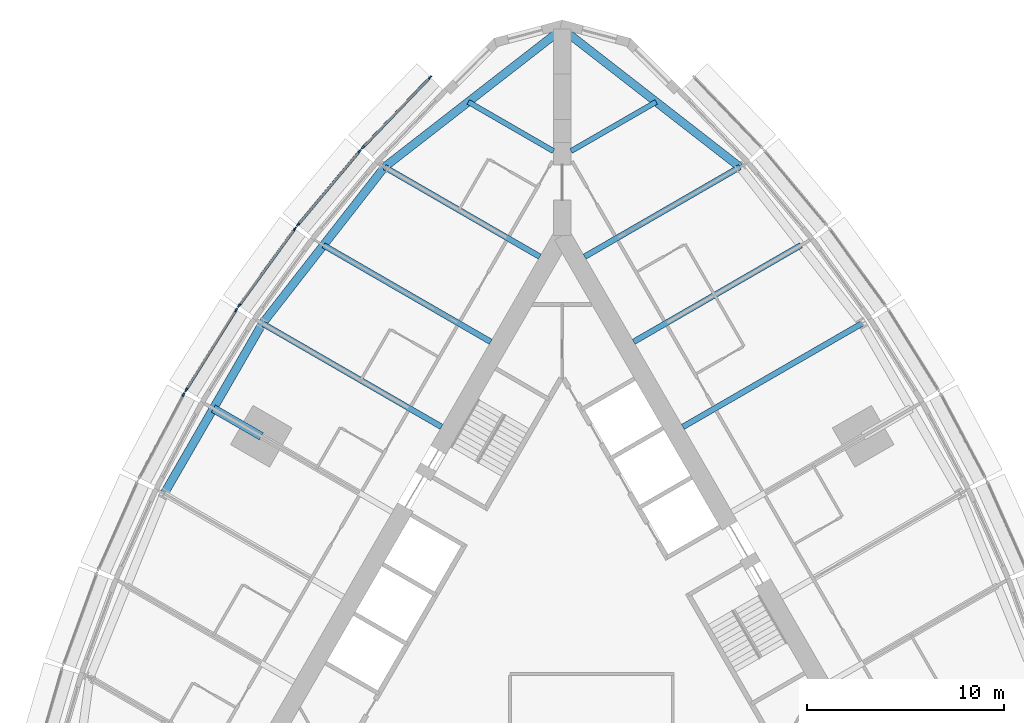
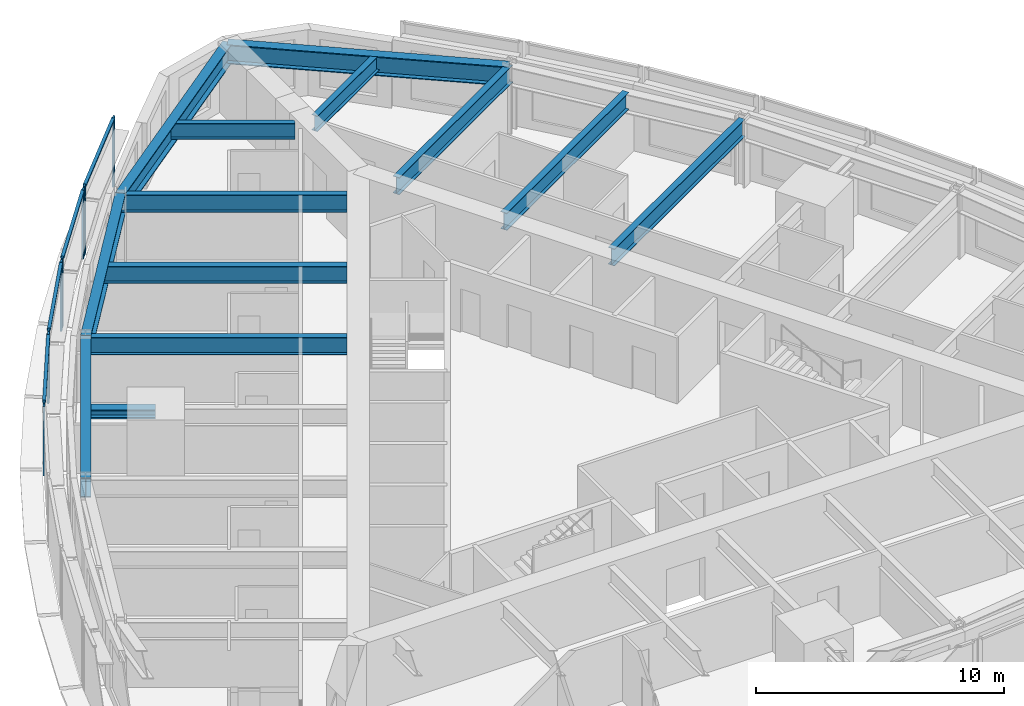
# One storey, part 4 of 14: 13 beams, 13 members, 5 elements without a shape of their own.
"""IFC4 building model written with IfcOpenShell, lengths in metres."""

import ifcopenshell
import ifcopenshell.guid

model = None  # the IFC model being written
_history = None  # IfcOwnerHistory: only IFC2X3 demands one
_inside = {}  # id of a spatial element -> (the spatial element, [elements in it])
_under = {}  # id of a project, library or spatial element -> (it, [spatial elements below it])
_declared = {}  # id of a project -> (the project, [libraries it declares])
_typed = {}  # id of a type object -> (the type object, [elements of that type])
_made_of = {}  # id of a material, layer set ... -> (it, [elements and type objects made of it])


def new_model(schema):
    """Start an empty IFC model of exactly this schema.

    Asked for "IFC4X3", IfcOpenShell would pick the latest addendum, in which some entities
    have other attributes; the version numbers below select the first issue.
    IFC2X3 requires an IfcOwnerHistory on every rooted entity: one is made here for all.
    """
    global model, _history
    if schema == "IFC4X3":
        model = ifcopenshell.file(schema_version=(4, 3, 0, 0))
    else:
        model = ifcopenshell.file(schema=schema)
    _inside.clear()
    _under.clear()
    _declared.clear()
    _typed.clear()
    _made_of.clear()
    _history = None
    if model.schema == "IFC2X3":
        org = make("IfcOrganization", Name="unknown")
        user = make(
            "IfcPersonAndOrganization",
            ThePerson=make("IfcPerson", FamilyName="unknown"),
            TheOrganization=org,
        )
        app = make(
            "IfcApplication",
            ApplicationDeveloper=org,
            Version="unknown",
            ApplicationFullName="unknown",
            ApplicationIdentifier="unknown",
        )
        _history = make(
            "IfcOwnerHistory",
            OwningUser=user,
            OwningApplication=app,
            ChangeAction="ADDED",
            CreationDate=0,
        )
    return model


def make(cls, **values):
    """One entity of the class cls with the attributes given. An attribute that is None is left unset."""
    return model.create_entity(
        cls, **{name: value for name, value in values.items() if value is not None}
    )


def rooted(cls, **values):
    """An entity with a GlobalId (a new one), such as an element, a storey or a relation."""
    return make(cls, GlobalId=ifcopenshell.guid.new(), OwnerHistory=_history, **values)


def si_unit(unit_type, name, prefix=None):
    """IfcSIUnit, for example si_unit("LENGTHUNIT", "METRE", prefix="MILLI")."""
    return make("IfcSIUnit", UnitType=unit_type, Prefix=prefix, Name=name)


def assignment(units):
    """IfcUnitAssignment: the units of a project."""
    return None if units is None else make("IfcUnitAssignment", Units=units)


def point(xyz):
    """IfcCartesianPoint."""
    return None if xyz is None else make("IfcCartesianPoint", Coordinates=xyz)


def direction(xyz):
    """IfcDirection."""
    return None if xyz is None else make("IfcDirection", DirectionRatios=xyz)


def frame(location, z_axis=None, x_axis=None):
    """IfcAxis2Placement3D, a coordinate frame: its origin and axes. An axis left out is left unset."""
    return make(
        "IfcAxis2Placement3D",
        Location=point(location),
        Axis=direction(z_axis),
        RefDirection=direction(x_axis),
    )


def frame_2d(location, x_axis=None):
    """IfcAxis2Placement2D, a coordinate frame in the plane: its origin and x axis."""
    return make(
        "IfcAxis2Placement2D", Location=point(location), RefDirection=direction(x_axis)
    )


def origin():
    """The frame at (0, 0, 0) with its axes left unset."""
    return frame((0.0, 0.0, 0.0))


def origin_2d():
    """The frame at (0, 0) in the plane with its x axis left unset."""
    return frame_2d((0.0, 0.0))


def place(relative_to, where):
    """IfcLocalPlacement: puts the frame where relative to a parent placement (None: the world)."""
    return make(
        "IfcLocalPlacement", PlacementRelTo=relative_to, RelativePlacement=where
    )


def context(
    kind, dimensions, precision=None, world=None, true_north=None, identifier=None
):
    """IfcGeometricRepresentationContext, for example the 3D "Model" context."""
    return make(
        "IfcGeometricRepresentationContext",
        ContextIdentifier=identifier,
        ContextType=kind,
        CoordinateSpaceDimension=dimensions,
        Precision=precision,
        WorldCoordinateSystem=world,
        TrueNorth=true_north,
    )


def subcontext(parent, identifier, kind, view, scale=None):
    """IfcGeometricRepresentationSubContext, for example "Body" below "Model"."""
    return make(
        "IfcGeometricRepresentationSubContext",
        ContextIdentifier=identifier,
        ContextType=kind,
        ParentContext=parent,
        TargetScale=scale,
        TargetView=view,
    )


def project(units=None, contexts=None):
    """IfcProject with its units and contexts."""
    return rooted(
        "IfcProject",
        Name="project",
        RepresentationContexts=contexts,
        UnitsInContext=assignment(units),
    )


def spatial(cls, under=None, at=None, **own):
    """A site, building, storey or space (cls), placed at a placement, below another one or the project."""
    s = rooted(cls, ObjectPlacement=at, **own)
    if under is not None:
        _under.setdefault(under.id(), (under, []))[1].append(s)
    return s


def profile(cls, at=None, kind="AREA", **sizes):
    """A parametric profile (cls). Its sizes go by their IFC names, for example OverallWidth=200.0."""
    return make(cls, ProfileType=kind, Position=at, **sizes)


def rectangle(**sizes):
    """IfcRectangleProfileDef."""
    return profile("IfcRectangleProfileDef", **sizes)


def i_section(**sizes):
    """IfcIShapeProfileDef."""
    return profile("IfcIShapeProfileDef", **sizes)


def extrude(swept, where, along, depth):
    """IfcExtrudedAreaSolid: the profile swept, set in the frame where, extruded along a direction by depth."""
    return make(
        "IfcExtrudedAreaSolid",
        SweptArea=swept,
        Position=where,
        ExtrudedDirection=direction(along),
        Depth=depth,
    )


def shape(context_of_items, identifier, shape_type, items):
    """IfcShapeRepresentation: the items that make up one representation, for example the "Body"."""
    return make(
        "IfcShapeRepresentation",
        ContextOfItems=context_of_items,
        RepresentationIdentifier=identifier,
        RepresentationType=shape_type,
        Items=items,
    )


def material(Name=None, Category=None):
    """IfcMaterial."""
    return make("IfcMaterial", Name=Name, Category=Category)


def material_profile(
    of_material, cross_section, Name=None, Category=None, Priority=None
):
    """IfcMaterialProfile: a cross section and its material."""
    return make(
        "IfcMaterialProfile",
        Name=Name,
        Material=of_material,
        Profile=cross_section,
        Priority=Priority,
        Category=Category,
    )


def profile_set(profiles, Name=None, composite=None):
    """IfcMaterialProfileSet."""
    return make(
        "IfcMaterialProfileSet",
        Name=Name,
        MaterialProfiles=profiles,
        CompositeProfile=composite,
    )


def made_of(thing, what):
    """Note that an element or type object is made of a material, layer set ...; save() writes the relation."""
    if what is not None:
        _made_of.setdefault(what.id(), (what, []))[1].append(thing)
    return thing


def type_object(cls, material=None, **own):
    """A type object (cls), such as IfcWallType, which elements share."""
    return made_of(rooted(cls, **own), material)


def element(
    cls,
    number,
    at=None,
    inside=None,
    cuts=None,
    type_object=None,
    material=None,
    context=None,
    identifier="Body",
    shape_type=None,
    held_by="IfcProductDefinitionShape",
    body=None,
    shapes=None,
    **own,
):
    """One element of the class cls, such as IfcWall. Its Tag is "e" and its number.

    at: its placement. inside: the storey or other place that contains it. cuts: it is an
    opening in that element (IfcRelVoidsElement). A single representation is given by context,
    identifier, shape_type and body (its items); several are given by shapes. held_by: the class
    of the entity that holds the representations. save() writes the other relations.
    """
    e = rooted(cls, Tag="e%d" % number, ObjectPlacement=at, **own)
    if body is not None:
        shapes = [shape(context, identifier, shape_type, body)]
    if shapes is not None:
        e.Representation = make(held_by, Representations=shapes)
    if inside is not None:
        _inside.setdefault(inside.id(), (inside, []))[1].append(e)
    if cuts is not None:
        rooted(
            "IfcRelVoidsElement", RelatingBuildingElement=cuts, RelatedOpeningElement=e
        )
    if type_object is not None:
        _typed.setdefault(type_object.id(), (type_object, []))[1].append(e)
    return made_of(e, material)


def aggregate(whole, parts):
    """IfcRelAggregates: a whole, such as a stair, and the parts it consists of."""
    return rooted("IfcRelAggregates", RelatingObject=whole, RelatedObjects=parts)


def save(model, path):
    """Write the relations noted so far, then the file.

    IfcRelAggregates (storeys below a building ...), IfcRelContainedInSpatialStructure (elements
    in a storey), IfcRelDefinesByType, IfcRelAssociatesMaterial and IfcRelDeclares: one each for
    every whole, place, type object, material and project.
    """
    for whole, parts in _under.values():
        aggregate(whole, parts)
    for where, things in _inside.values():
        rooted(
            "IfcRelContainedInSpatialStructure",
            RelatedElements=things,
            RelatingStructure=where,
        )
    for kind, things in _typed.values():
        rooted("IfcRelDefinesByType", RelatedObjects=things, RelatingType=kind)
    for what, things in _made_of.values():
        rooted("IfcRelAssociatesMaterial", RelatedObjects=things, RelatingMaterial=what)
    for by, libraries in _declared.values():
        rooted("IfcRelDeclares", RelatingContext=by, RelatedDefinitions=libraries)
    model.write(path)


model = new_model("IFC4")

# Units and contexts
model_context = context("Model", 3, precision=1e-05, world=origin(), true_north=direction((0.0, 1.0)))
body_context = subcontext(model_context, "Body", "Model", "MODEL_VIEW")
ifc_project = project(units=[si_unit("LENGTHUNIT", "METRE"), si_unit("AREAUNIT", "SQUARE_METRE"), si_unit("VOLUMEUNIT", "CUBIC_METRE"), si_unit("PLANEANGLEUNIT", "RADIAN"), si_unit("MASSUNIT", "GRAM", prefix="KILO")], contexts=[model_context])

# Site, building, storey
site_placement = place(None, origin())
site = spatial("IfcSite", under=ifc_project, at=site_placement, CompositionType="ELEMENT")
building_placement = place(site_placement, origin())
building = spatial("IfcBuilding", under=site, at=building_placement, Name="Trikona Tower", CompositionType="ELEMENT")
storey_placement = place(building_placement, frame((0.0, 0.0, 175.89990234375)))
storey = spatial("IfcBuildingStorey", under=building, at=storey_placement, Name="L47", CompositionType="ELEMENT", Elevation=175.89990234375)

# Curtain wall, members
ifc_material_1 = material(Name="Aluminium curtain wall system", Category="aluminium")
curtain_wall_type = type_object("IfcCurtainWallType", Name="Curtain wall DS2", PredefinedType="NOTDEFINED", material=ifc_material_1)
curtain_wall_1_placement = place(storey_placement, origin())
curtain_wall_1 = element("IfcCurtainWall", 1, at=curtain_wall_1_placement, inside=storey, type_object=curtain_wall_type, Name="Curtain wall DS2 L47", PredefinedType="NOTDEFINED")
ifc_material_2 = material(Name="Aluminium mullion, pale anodised", Category="aluminium")
ifc_material_profile_1 = material_profile(ifc_material_2, rectangle(XDim=0.080078125, YDim=0.199951171875, at=origin_2d()), Name="MUL-DS2")
ifc_profile_set_1 = profile_set([ifc_material_profile_1], Name="Aluminium mullion, pale anodised")
member_type_1 = type_object("IfcMemberType", Name="Mullion DS2 80x200", PredefinedType="MULLION", material=ifc_profile_set_1)
member_1_placement = place(storey_placement, frame((-6.718994140625, 27.1083984375, 0.0), z_axis=(0.0, 0.0, 1.0), x_axis=(0.722158330767, -0.691727797117, 0.0)))
member_1 = element("IfcMember", 2, at=member_1_placement, type_object=member_type_1, Name="CW-DS2 mullion 1", PredefinedType="MULLION", context=body_context, shape_type="SweptSolid", body=[
    extrude(rectangle(XDim=0.080078125, YDim=0.199951171875, at=origin_2d()), origin(), (0.0, 0.0, 1.0), 3.400146484375),
])
member_2_placement = place(storey_placement, frame((-10.1416015625, 23.535400390625, 0.0), z_axis=(0.0, 0.0, 1.0), x_axis=(0.722158330767, -0.691727797117, 0.0)))
member_2 = element("IfcMember", 3, at=member_2_placement, type_object=member_type_1, Name="CW-DS2 mullion 2", PredefinedType="MULLION", context=body_context, shape_type="SweptSolid", body=[
    extrude(rectangle(XDim=0.080078125, YDim=0.199951171875, at=origin_2d()), origin(), (0.0, 0.0, 1.0), 3.400146484375),
])

curtain_wall_2_placement = place(storey_placement, origin())
curtain_wall_2 = element("IfcCurtainWall", 4, at=curtain_wall_2_placement, inside=storey, type_object=curtain_wall_type, Name="Curtain wall DS2 L47", PredefinedType="NOTDEFINED")
member_3_placement = place(storey_placement, frame((-10.315185546875, 23.34130859375, 0.0), z_axis=(0.0, 0.0, 1.0), x_axis=(0.766866678271, -0.641806433248, 0.0)))
member_3 = element("IfcMember", 5, at=member_3_placement, type_object=member_type_1, Name="CW-DS2 mullion 1", PredefinedType="MULLION", context=body_context, shape_type="SweptSolid", body=[
    extrude(rectangle(XDim=0.080078125, YDim=0.199951171875, at=origin_2d()), origin(), (0.0, 0.0, 1.0), 3.400146484375),
])
member_4_placement = place(storey_placement, frame((-13.44482421875, 19.602294921875, 0.0), z_axis=(0.0, 0.0, 1.0), x_axis=(0.766866678271, -0.641806433248, 0.0)))
member_4 = element("IfcMember", 6, at=member_4_placement, type_object=member_type_1, Name="CW-DS2 mullion 2", PredefinedType="MULLION", context=body_context, shape_type="SweptSolid", body=[
    extrude(rectangle(XDim=0.080078125, YDim=0.199951171875, at=origin_2d()), origin(), (0.0, 0.0, 1.0), 3.400146484375),
])

curtain_wall_3_placement = place(storey_placement, origin())
curtain_wall_3 = element("IfcCurtainWall", 7, at=curtain_wall_3_placement, inside=storey, type_object=curtain_wall_type, Name="Curtain wall DS2 L47", PredefinedType="NOTDEFINED")
member_5_placement = place(storey_placement, frame((-13.605712890625, 19.39599609375, 0.0), z_axis=(0.0, 0.0, 1.0), x_axis=(0.80908576332, -0.587690588313, 0.0)))
member_5 = element("IfcMember", 8, at=member_5_placement, type_object=member_type_1, Name="CW-DS2 mullion 1", PredefinedType="MULLION", context=body_context, shape_type="SweptSolid", body=[
    extrude(rectangle(XDim=0.080078125, YDim=0.199951171875, at=origin_2d()), origin(), (0.0, 0.0, 1.0), 3.400146484375),
])
member_6_placement = place(storey_placement, frame((-16.442626953125, 15.489990234375, 0.0), z_axis=(0.0, 0.0, 1.0), x_axis=(0.80908576332, -0.587690588313, 0.0)))
member_6 = element("IfcMember", 9, at=member_6_placement, type_object=member_type_1, Name="CW-DS2 mullion 2", PredefinedType="MULLION", context=body_context, shape_type="SweptSolid", body=[
    extrude(rectangle(XDim=0.080078125, YDim=0.199951171875, at=origin_2d()), origin(), (0.0, 0.0, 1.0), 3.400146484375),
])

curtain_wall_4_placement = place(storey_placement, origin())
curtain_wall_4 = element("IfcCurtainWall", 10, at=curtain_wall_4_placement, inside=storey, type_object=curtain_wall_type, Name="Curtain wall DS2 L47", PredefinedType="NOTDEFINED")
member_7_placement = place(storey_placement, frame((-16.589599609375, 15.2724609375, 0.0), z_axis=(0.0, 0.0, 1.0), x_axis=(0.847998304006, -0.529998940002, 0.0)))
member_7 = element("IfcMember", 11, at=member_7_placement, type_object=member_type_1, Name="CW-DS2 mullion 1", PredefinedType="MULLION", context=body_context, shape_type="SweptSolid", body=[
    extrude(rectangle(XDim=0.080078125, YDim=0.199951171875, at=origin_2d()), origin(), (0.0, 0.0, 1.0), 3.400146484375),
])
member_8_placement = place(storey_placement, frame((-19.135009765625, 11.199462890625, 0.0), z_axis=(0.0, 0.0, 1.0), x_axis=(0.847998304006, -0.529998940002, 0.0)))
member_8 = element("IfcMember", 12, at=member_8_placement, type_object=member_type_1, Name="CW-DS2 mullion 2", PredefinedType="MULLION", context=body_context, shape_type="SweptSolid", body=[
    extrude(rectangle(XDim=0.080078125, YDim=0.199951171875, at=origin_2d()), origin(), (0.0, 0.0, 1.0), 3.400146484375),
])

# Curtain wall, member
curtain_wall_5_placement = place(storey_placement, origin())
curtain_wall_5 = element("IfcCurtainWall", 13, at=curtain_wall_5_placement, inside=storey, type_object=curtain_wall_type, Name="Curtain wall DS2 L47", PredefinedType="NOTDEFINED")
member_9_placement = place(storey_placement, frame((-19.2666015625, 10.9716796875, 0.0), z_axis=(0.0, 0.0, 1.0), x_axis=(0.882996107343, -0.469380308937, 0.0)))
member_9 = element("IfcMember", 14, at=member_9_placement, type_object=member_type_1, Name="CW-DS2 mullion 1", PredefinedType="MULLION", context=body_context, shape_type="SweptSolid", body=[
    extrude(rectangle(XDim=0.080078125, YDim=0.199951171875, at=origin_2d()), origin(), (0.0, 0.0, 1.0), 3.400146484375),
])
aggregate(curtain_wall_5, [member_9])

# Beams
ifc_material_3 = material(Name="Steel ASTM A992 Grade 50", Category="steel")
ifc_material_profile_2 = material_profile(ifc_material_3, i_section(OverallWidth=0.419189453125, OverallDepth=0.45458984375, WebThickness=0.042236328125, FlangeThickness=0.067626953125, at=origin_2d()), Name="W14X370")
ifc_profile_set_2 = profile_set([ifc_material_profile_2], Name="Steel ASTM A992 Grade 50")
beam_type_1 = type_object("IfcBeamType", Name="Steel beam W14x370 (apex bracket)", PredefinedType="BEAM", material=ifc_profile_set_2)
beam_1_placement = place(storey_placement, frame((-15.311767578125, 8.84033203125, 3.0078125), z_axis=(-0.86605005072, 0.499957307824, 0.0), x_axis=(-0.499957307824, -0.86605005072, 0.0)))
element("IfcBeam", 15, at=beam_1_placement, inside=storey, type_object=beam_type_1, Name="Cantilever bracket L48 F3", PredefinedType="BEAM", context=body_context, shape_type="SweptSolid", body=[
    extrude(i_section(OverallWidth=0.419189453125, OverallDepth=0.45458984375, WebThickness=0.042236328125, FlangeThickness=0.067626953125, at=origin_2d()), origin(), (0.0, 0.0, 1.0), 2.819580078125),
])
ifc_material_4 = material(Name="Steel ASTM A992 Grade 50", Category="steel")
ifc_material_profile_3 = material_profile(ifc_material_4, i_section(OverallWidth=0.2666015625, OverallDepth=0.76953125, WebThickness=0.015625, FlangeThickness=0.025390625, at=origin_2d()), Name="W30X132")
ifc_profile_set_3 = profile_set([ifc_material_profile_3], Name="Steel ASTM A992 Grade 50")
beam_type_2 = type_object("IfcBeamType", Name="Steel beam W30x132 (wedge)", PredefinedType="BEAM", material=ifc_profile_set_3)
for number, where, z_axis, x_axis, name in (
    (16, (0.449951171875, 23.353759765625, 2.850341796875), (0.866038434829, 0.49997742889, 0.0), (-0.49997742889, 0.866038434829, 0.0), "Floor beam L48 F2 u20"),
    (17, (-0.449951171875, 23.353759765625, 2.850341796875), (-0.866038434829, 0.49997742889, 0.0), (-0.49997742889, -0.866038434829, 0.0), "Floor beam L48 F3 u-20"),
):
    element("IfcBeam", number, at=place(storey_placement, frame(where, z_axis=z_axis, x_axis=x_axis)), inside=storey, type_object=beam_type_2, Name=name, PredefinedType="BEAM", context=body_context, shape_type="SweptSolid", body=[
        extrude(i_section(OverallWidth=0.2666015625, OverallDepth=0.76953125, WebThickness=0.015625, FlangeThickness=0.025390625, at=origin_2d()), origin(), (0.0, 0.0, 1.0), 5.000732421875),
    ])
ifc_material_5 = material(Name="Steel ASTM A992 Grade 50", Category="steel")
ifc_material_profile_4 = material_profile(ifc_material_5, i_section(OverallWidth=0.2919921875, OverallDepth=0.845703125, WebThickness=0.015380859375, FlangeThickness=0.0244140625, at=origin_2d()), Name="W33X141")
ifc_profile_set_4 = profile_set([ifc_material_profile_4], Name="Steel ASTM A992 Grade 50")
beam_type_3 = type_object("IfcBeamType", Name="Steel beam W33x141 (radial typ)", PredefinedType="BEAM", material=ifc_profile_set_4)
beam_2_placement = place(storey_placement, frame((6.1396484375, 9.318359375, 2.812255859375), z_axis=(0.866036080828, 0.499981506362, 0.0), x_axis=(-0.499981506362, 0.866036080828, 0.0)))
element("IfcBeam", 18, at=beam_2_placement, inside=storey, type_object=beam_type_3, Name="Floor beam L48 F2 u5", PredefinedType="BEAM", context=body_context, shape_type="SweptSolid", body=[
    extrude(i_section(OverallWidth=0.2919921875, OverallDepth=0.845703125, WebThickness=0.015380859375, FlangeThickness=0.0244140625, at=origin_2d()), origin(), (0.0, 0.0, 1.0), 10.52392578125),
])
beam_3_placement = place(storey_placement, frame((3.6396484375, 13.6484375, 2.812255859375), z_axis=(0.866030807744, 0.499990639951, 0.0), x_axis=(-0.499990639951, 0.866030807744, 0.0)))
element("IfcBeam", 19, at=beam_3_placement, inside=storey, type_object=beam_type_3, Name="Floor beam L48 F2 u10", PredefinedType="BEAM", context=body_context, shape_type="SweptSolid", body=[
    extrude(i_section(OverallWidth=0.2919921875, OverallDepth=0.845703125, WebThickness=0.015380859375, FlangeThickness=0.0244140625, at=origin_2d()), origin(), (0.0, 0.0, 1.0), 9.823974609375),
])
for number, where, z_axis, x_axis, name in (
    (20, (1.1396484375, 17.978515625, 2.812255859375), (0.866024725532, 0.500001174766, 0.0), (-0.500001174766, 0.866024725532, 0.0), "Floor beam L48 F2 u15"),
    (21, (-1.1396484375, 17.978515625, 2.812255859375), (-0.866024725532, 0.500001174766, 0.0), (-0.500001174766, -0.866024725532, 0.0), "Floor beam L48 F3 u-15"),
):
    element("IfcBeam", number, at=place(storey_placement, frame(where, z_axis=z_axis, x_axis=x_axis)), inside=storey, type_object=beam_type_3, Name=name, PredefinedType="BEAM", context=body_context, shape_type="SweptSolid", body=[
        extrude(i_section(OverallWidth=0.2919921875, OverallDepth=0.845703125, WebThickness=0.015380859375, FlangeThickness=0.0244140625, at=origin_2d()), origin(), (0.0, 0.0, 1.0), 9.1240234375),
    ])
beam_4_placement = place(storey_placement, frame((-3.6396484375, 13.6484375, 2.812255859375), z_axis=(-0.866030807744, 0.499990639951, 0.0), x_axis=(-0.499990639951, -0.866030807744, 0.0)))
element("IfcBeam", 22, at=beam_4_placement, inside=storey, type_object=beam_type_3, Name="Floor beam L48 F3 u-10", PredefinedType="BEAM", context=body_context, shape_type="SweptSolid", body=[
    extrude(i_section(OverallWidth=0.2919921875, OverallDepth=0.845703125, WebThickness=0.015380859375, FlangeThickness=0.0244140625, at=origin_2d()), origin(), (0.0, 0.0, 1.0), 9.823974609375),
])
beam_5_placement = place(storey_placement, frame((-6.1396484375, 9.318359375, 2.812255859375), z_axis=(-0.866036080828, 0.499981506362, 0.0), x_axis=(-0.499981506362, -0.866036080828, 0.0)))
element("IfcBeam", 23, at=beam_5_placement, inside=storey, type_object=beam_type_3, Name="Floor beam L48 F3 u-5", PredefinedType="BEAM", context=body_context, shape_type="SweptSolid", body=[
    extrude(i_section(OverallWidth=0.2919921875, OverallDepth=0.845703125, WebThickness=0.015380859375, FlangeThickness=0.0244140625, at=origin_2d()), origin(), (0.0, 0.0, 1.0), 10.52392578125),
])
ifc_material_6 = material(Name="Steel ASTM A992 Grade 50", Category="steel")
ifc_material_profile_5 = material_profile(ifc_material_6, i_section(OverallWidth=0.424072265625, OverallDepth=0.947509765625, WebThickness=0.02392578125, FlangeThickness=0.042724609375, at=origin_2d()), Name="W36X302")
ifc_profile_set_5 = profile_set([ifc_material_profile_5], Name="Steel ASTM A992 Grade 50")
beam_type_4 = type_object("IfcBeamType", Name="Steel beam W36x302 (spandrel)", PredefinedType="SPANDREL", material=ifc_profile_set_5)
for number, where, z_axis, x_axis, name in (
    (24, (9.041259765625, 22.54052734375, 2.761474609375), (-0.789367137808, 0.613921429621, 0.0), (-0.613921429621, -0.789367137808, 0.0), "Spandrel beam L48 F2-5"),
    (25, (0.0, 29.572265625, 2.761474609375), (-0.789367137808, -0.613921429621, 0.0), (0.613921429621, -0.789367137808, 0.0), "Spandrel beam L48 F3-1"),
):
    element("IfcBeam", number, at=place(storey_placement, frame(where, z_axis=z_axis, x_axis=x_axis)), inside=storey, type_object=beam_type_4, Name=name, PredefinedType="SPANDREL", context=body_context, shape_type="SweptSolid", body=[
        extrude(i_section(OverallWidth=0.424072265625, OverallDepth=0.947509765625, WebThickness=0.02392578125, FlangeThickness=0.042724609375, at=origin_2d()), origin(), (0.0, 0.0, 1.0), 11.453857421875),
    ])
beam_6_placement = place(storey_placement, frame((-9.041259765625, 22.54052734375, 2.761474609375), z_axis=(-0.615232009054, -0.788346101046, 0.0), x_axis=(0.788346101046, -0.615232009054, 0.0)))
element("IfcBeam", 26, at=beam_6_placement, inside=storey, type_object=beam_type_4, Name="Spandrel beam L48 F3-2", PredefinedType="SPANDREL", context=body_context, shape_type="SweptSolid", body=[
    extrude(i_section(OverallWidth=0.424072265625, OverallDepth=0.947509765625, WebThickness=0.02392578125, FlangeThickness=0.042724609375, at=origin_2d()), origin(), (0.0, 0.0, 1.0), 10.09765625),
])
beam_7_placement = place(storey_placement, frame((-15.253662109375, 14.580078125, 2.761474609375), z_axis=(-0.500004234368, -0.866022959057, 0.0), x_axis=(0.866022959057, -0.500004234368, 0.0)))
element("IfcBeam", 27, at=beam_7_placement, inside=storey, type_object=beam_type_4, Name="Spandrel beam L48 F3-3", PredefinedType="SPANDREL", context=body_context, shape_type="SweptSolid", body=[
    extrude(i_section(OverallWidth=0.424072265625, OverallDepth=0.947509765625, WebThickness=0.02392578125, FlangeThickness=0.042724609375, at=origin_2d()), origin(), (0.0, 0.0, 1.0), 10.0),
])

# Member
ifc_material_7 = material(Name="Aluminium transom, pale anodised", Category="aluminium")
ifc_material_profile_6 = material_profile(ifc_material_7, rectangle(XDim=0.139892578125, YDim=0.080078125, at=origin_2d()), Name="TRN-DS2")
ifc_profile_set_6 = profile_set([ifc_material_profile_6], Name="Aluminium transom, pale anodised")
member_type_2 = type_object("IfcMemberType", Name="Transom DS2 80x140", PredefinedType="USERDEFINED", material=ifc_profile_set_6)
member_10_placement = place(storey_placement, frame((-6.746826171875, 27.07958984375, 3.360107421875), z_axis=(-0.691721246785, -0.722164605022, 0.0), x_axis=(0.722164605022, -0.691721246785, 0.0)))
member_10 = element("IfcMember", 28, at=member_10_placement, type_object=member_type_2, Name="CW-DS2 transom 1.1", ObjectType="TRANSOM", PredefinedType="USERDEFINED", context=body_context, shape_type="SweptSolid", body=[
    extrude(rectangle(XDim=0.139892578125, YDim=0.080078125, at=origin_2d()), origin(), (0.0, 0.0, 1.0), 4.867919921875),
])

aggregate(curtain_wall_1, [member_1, member_2, member_10])

member_11_placement = place(storey_placement, frame((-10.341064453125, 23.310791015625, 3.360107421875), z_axis=(-0.641770294892, -0.766896921753, 0.0), x_axis=(0.766896921753, -0.641770294892, 0.0)))
member_11 = element("IfcMember", 29, at=member_11_placement, type_object=member_type_2, Name="CW-DS2 transom 1.1", ObjectType="TRANSOM", PredefinedType="USERDEFINED", context=body_context, shape_type="SweptSolid", body=[
    extrude(rectangle(XDim=0.139892578125, YDim=0.080078125, at=origin_2d()), origin(), (0.0, 0.0, 1.0), 4.7958984375),
])

aggregate(curtain_wall_2, [member_3, member_4, member_11])

member_12_placement = place(storey_placement, frame((-13.629150390625, 19.363525390625, 3.360107421875), z_axis=(-0.587694585883, -0.809082859616, 0.0), x_axis=(0.809082859616, -0.587694585883, 0.0)))
member_12 = element("IfcMember", 30, at=member_12_placement, type_object=member_type_2, Name="CW-DS2 transom 1.1", ObjectType="TRANSOM", PredefinedType="USERDEFINED", context=body_context, shape_type="SweptSolid", body=[
    extrude(rectangle(XDim=0.139892578125, YDim=0.080078125, at=origin_2d()), origin(), (0.0, 0.0, 1.0), 4.747314453125),
])

aggregate(curtain_wall_3, [member_5, member_6, member_12])

member_13_placement = place(storey_placement, frame((-16.610595703125, 15.238525390625, 3.360107421875), z_axis=(-0.530031463794, -0.847977975769, 0.0), x_axis=(0.847977975769, -0.530031463794, 0.0)))
member_13 = element("IfcMember", 31, at=member_13_placement, type_object=member_type_2, Name="CW-DS2 transom 1.1", ObjectType="TRANSOM", PredefinedType="USERDEFINED", context=body_context, shape_type="SweptSolid", body=[
    extrude(rectangle(XDim=0.139892578125, YDim=0.080078125, at=origin_2d()), origin(), (0.0, 0.0, 1.0), 4.72314453125),
])

aggregate(curtain_wall_4, [member_7, member_8, member_13])

save(model, "model.ifc")
